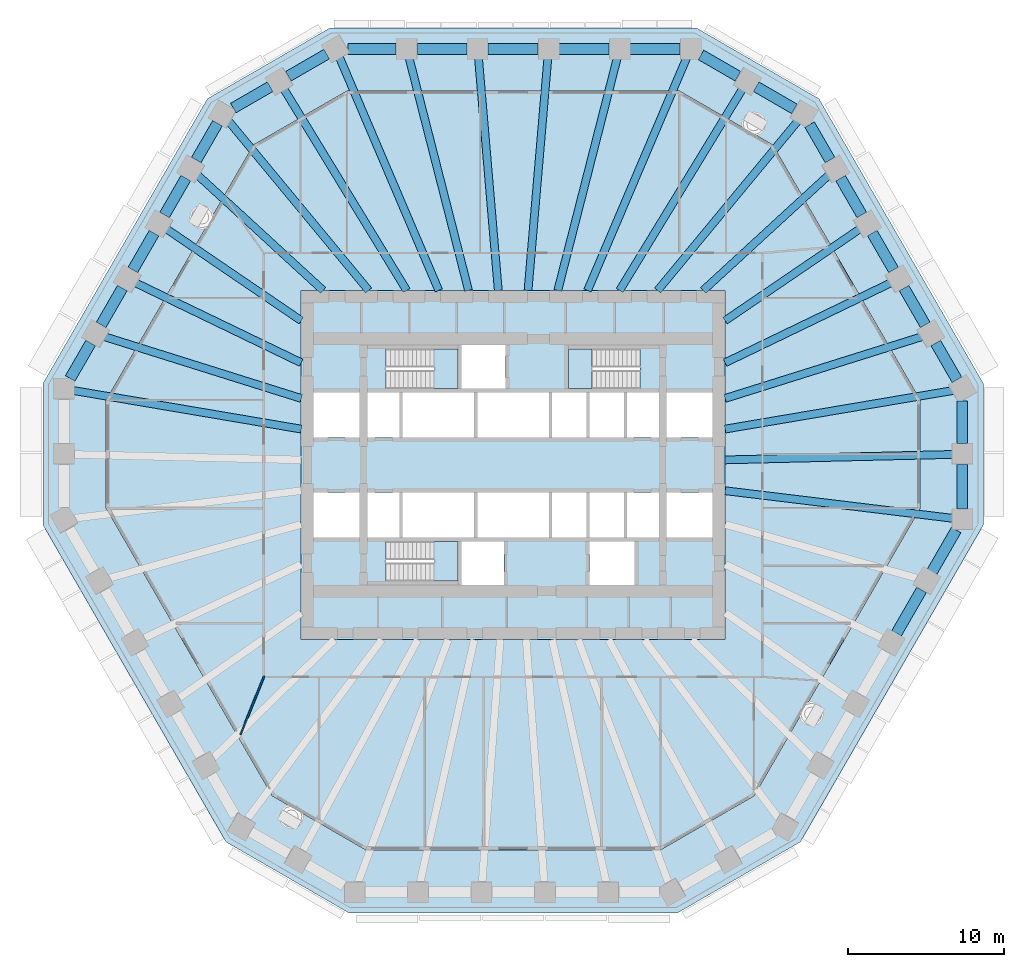
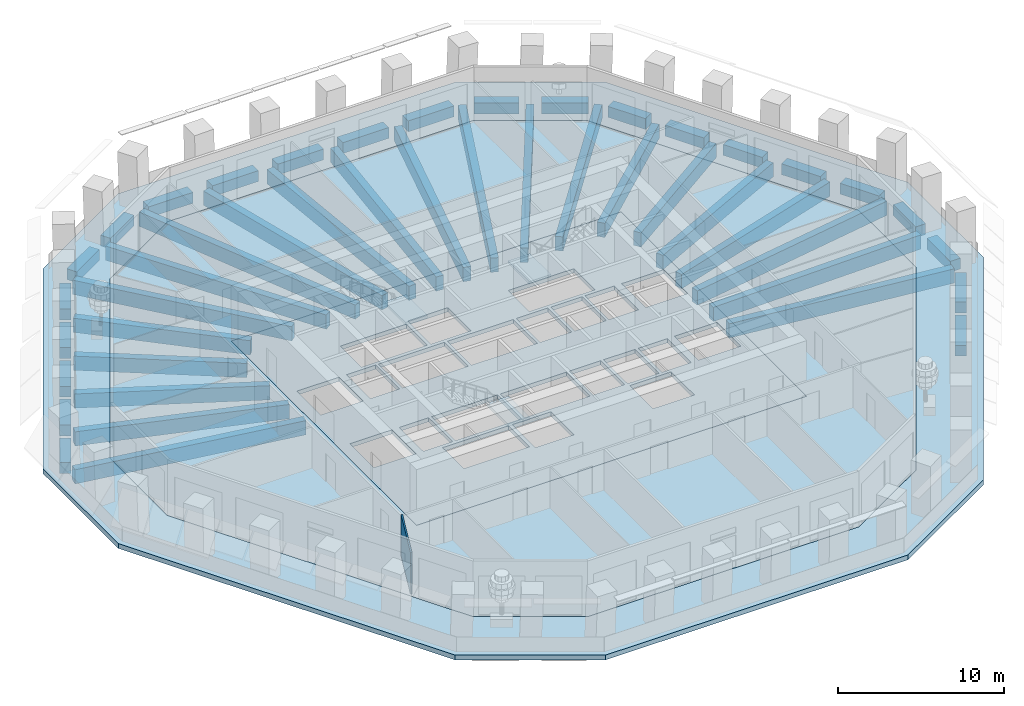
# One storey, part 2 of 13: 45 beams, 6 slabs, 1 wall, 3 elements without a shape of their own.
"""IFC4 building model written with IfcOpenShell, lengths in metres."""

from ifc_helpers import new_model, si_unit, direction, frame, frame_2d, origin, origin_2d, place, context, subcontext, project, spatial, polyline, rectangle, outline, extrude, material, layer, layer_set, material_profile, profile_set, type_object, element, aggregate, save


model = new_model("IFC4")

# Units and contexts
model_context = context("Model", 3, precision=1e-05, world=origin(), true_north=direction((0.0, 1.0)))
body_context = subcontext(model_context, "Body", "Model", "MODEL_VIEW")
ifc_project = project(units=[si_unit("LENGTHUNIT", "METRE"), si_unit("AREAUNIT", "SQUARE_METRE"), si_unit("VOLUMEUNIT", "CUBIC_METRE"), si_unit("PLANEANGLEUNIT", "RADIAN"), si_unit("MASSUNIT", "GRAM", prefix="KILO")], contexts=[model_context])

# Site, building, storey
site_placement = place(None, origin())
site = spatial("IfcSite", under=ifc_project, at=site_placement, CompositionType="ELEMENT")
building_placement = place(site_placement, origin())
building = spatial("IfcBuilding", under=site, at=building_placement, Name="Frailejon Research Tower", CompositionType="ELEMENT")
storey_placement = place(building_placement, frame((0.0, 0.0, 102.800048828125)))
storey = spatial("IfcBuildingStorey", under=building, at=storey_placement, Name="L22", CompositionType="ELEMENT", Elevation=102.800048828125)

# Beams
ifc_material_1 = material(Name="Concrete C60/75", Category="concrete")
ifc_material_profile_1 = material_profile(ifc_material_1, rectangle(XDim=0.5, YDim=1.050048828125, at=origin_2d()), Name="Girder 500x1050")
ifc_profile_set_1 = profile_set([ifc_material_profile_1], Name="Concrete C60/75")
beam_type_1 = type_object("IfcBeamType", Name="Girder 500x1050", PredefinedType="BEAM", material=ifc_profile_set_1)
beam_1_placement = place(storey_placement, frame((28.285888671875, -3.432373046875, -0.824951171875), z_axis=(-0.992718540331, 0.120457044967, 0.0), x_axis=(-0.120457044967, -0.992718540331, 0.0)))
element("IfcBeam", 1, at=beam_1_placement, inside=storey, type_object=beam_type_1, Name="Girder 500x1050", PredefinedType="BEAM", context=body_context, shape_type="SweptSolid", body=[
    extrude(rectangle(XDim=0.5, YDim=1.050048828125, at=origin_2d()), origin(), (0.0, 0.0, 1.0), 14.79345703125),
])
beam_2_placement = place(storey_placement, frame((28.287109375, 0.6787109375, -0.824951171875), z_axis=(-0.999712439965, -0.023979937014, 0.0), x_axis=(0.023979937014, -0.999712439965, 0.0)))
element("IfcBeam", 2, at=beam_2_placement, inside=storey, type_object=beam_type_1, Name="Girder 500x1050", PredefinedType="BEAM", context=body_context, shape_type="SweptSolid", body=[
    extrude(rectangle(XDim=0.5, YDim=1.050048828125, at=origin_2d()), origin(), (0.0, 0.0, 1.0), 14.691162109375),
])
beam_3_placement = place(storey_placement, frame((28.25, 4.78369140625, -0.824951171875), z_axis=(-0.985964286916, -0.166956356354, 0.0), x_axis=(0.166956356354, -0.985964286916, 0.0)))
element("IfcBeam", 3, at=beam_3_placement, inside=storey, type_object=beam_type_1, Name="Girder 500x1050", PredefinedType="BEAM", context=body_context, shape_type="SweptSolid", body=[
    extrude(rectangle(XDim=0.5, YDim=1.050048828125, at=origin_2d()), origin(), (0.0, 0.0, 1.0), 14.8583984375),
])
beam_4_placement = place(storey_placement, frame((26.259033203125, 8.243408203125, -0.824951171875), z_axis=(-0.954088556525, -0.299524667279, 0.0), x_axis=(0.299524667279, -0.954088556525, 0.0)))
element("IfcBeam", 4, at=beam_4_placement, inside=storey, type_object=beam_type_1, Name="Girder 500x1050", PredefinedType="BEAM", context=body_context, shape_type="SweptSolid", body=[
    extrude(rectangle(XDim=0.5, YDim=1.050048828125, at=origin_2d()), origin(), (0.0, 0.0, 1.0), 13.26806640625),
])
beam_5_placement = place(storey_placement, frame((24.26513671875, 11.703369140625, -0.824951171875), z_axis=(-0.900711634479, -0.434417485277, 0.0), x_axis=(0.434417485277, -0.900711634479, 0.0)))
element("IfcBeam", 5, at=beam_5_placement, inside=storey, type_object=beam_type_1, Name="Girder 500x1050", PredefinedType="BEAM", context=body_context, shape_type="SweptSolid", body=[
    extrude(rectangle(XDim=0.5, YDim=1.050048828125, at=origin_2d()), origin(), (0.0, 0.0, 1.0), 11.840576171875),
])
beam_6_placement = place(storey_placement, frame((22.26806640625, 15.16259765625, -0.824951171875), z_axis=(-0.826566063809, -0.56283971267, 0.0), x_axis=(0.56283971267, -0.826566063809, 0.0)))
element("IfcBeam", 6, at=beam_6_placement, inside=storey, type_object=beam_type_1, Name="Girder 500x1050", PredefinedType="BEAM", context=body_context, shape_type="SweptSolid", body=[
    extrude(rectangle(XDim=0.5, YDim=1.050048828125, at=origin_2d()), origin(), (0.0, 0.0, 1.0), 10.48681640625),
])
beam_7_placement = place(storey_placement, frame((20.2685546875, 18.619384765625, -0.824951171875), z_axis=(-0.736424633964, -0.676519592097, 0.0), x_axis=(0.676519592097, -0.736424633964, 0.0)))
element("IfcBeam", 7, at=beam_7_placement, inside=storey, type_object=beam_type_1, Name="Girder 500x1050", PredefinedType="BEAM", context=body_context, shape_type="SweptSolid", body=[
    extrude(rectangle(XDim=0.5, YDim=1.050048828125, at=origin_2d()), origin(), (0.0, 0.0, 1.0), 10.967041015625),
])
beam_8_placement = place(storey_placement, frame((18.290283203125, 22.1005859375, -0.824951171875), z_axis=(-0.63756877341, -0.770393444399, 0.0), x_axis=(0.770393444399, -0.63756877341, 0.0)))
element("IfcBeam", 8, at=beam_8_placement, inside=storey, type_object=beam_type_1, Name="Girder 500x1050", PredefinedType="BEAM", context=body_context, shape_type="SweptSolid", body=[
    extrude(rectangle(XDim=0.5, YDim=1.050048828125, at=origin_2d()), origin(), (0.0, 0.0, 1.0), 14.1494140625),
])
beam_9_placement = place(storey_placement, frame((14.731201171875, 24.15771484375, -0.824951171875), z_axis=(-0.520633164902, -0.853780479751, 0.0), x_axis=(0.853780479751, -0.520633164902, 0.0)))
element("IfcBeam", 9, at=beam_9_placement, inside=storey, type_object=beam_type_1, Name="Girder 500x1050", PredefinedType="BEAM", context=body_context, shape_type="SweptSolid", body=[
    extrude(rectangle(XDim=0.5, YDim=1.050048828125, at=origin_2d()), origin(), (0.0, 0.0, 1.0), 15.177001953125),
])
beam_10_placement = place(storey_placement, frame((11.1494140625, 26.1630859375, -0.824951171875), z_axis=(-0.392032637108, -0.919951309278, 0.0), x_axis=(0.919951309278, -0.392032637108, 0.0)))
element("IfcBeam", 10, at=beam_10_placement, inside=storey, type_object=beam_type_1, Name="Girder 500x1050", PredefinedType="BEAM", context=body_context, shape_type="SweptSolid", body=[
    extrude(rectangle(XDim=0.5, YDim=1.050048828125, at=origin_2d()), origin(), (0.0, 0.0, 1.0), 16.26513671875),
])
beam_11_placement = place(storey_placement, frame((6.69140625, 26.17041015625, -0.824951171875), z_axis=(-0.247710818836, -0.968834015831, 0.0), x_axis=(0.968834015831, -0.247710818836, 0.0)))
element("IfcBeam", 11, at=beam_11_placement, inside=storey, type_object=beam_type_1, Name="Girder 500x1050", PredefinedType="BEAM", context=body_context, shape_type="SweptSolid", body=[
    extrude(rectangle(XDim=0.5, YDim=1.050048828125, at=origin_2d()), origin(), (0.0, 0.0, 1.0), 15.4521484375),
])
for number, where, z_axis, x_axis, name in (
    (12, (2.230712890625, 26.174560546875, -0.824951171875), (-0.084911352875, -0.996388509645, 0.0), (0.996388509645, -0.084911352875, 0.0), "Girder 500x1050"),
    (13, (-2.230712890625, 26.174560546875, -0.824951171875), (0.084911352875, -0.996388509645, 0.0), (0.996388509645, 0.084911352875, 0.0), "Girder 500x1050"),
):
    element("IfcBeam", number, at=place(storey_placement, frame(where, z_axis=z_axis, x_axis=x_axis)), inside=storey, type_object=beam_type_1, Name=name, PredefinedType="BEAM", context=body_context, shape_type="SweptSolid", body=[
        extrude(rectangle(XDim=0.5, YDim=1.050048828125, at=origin_2d()), origin(), (0.0, 0.0, 1.0), 15.02880859375),
    ])
beam_12_placement = place(storey_placement, frame((-6.69140625, 26.17041015625, -0.824951171875), z_axis=(0.247710818836, -0.968834015831, 0.0), x_axis=(0.968834015831, 0.247710818836, 0.0)))
element("IfcBeam", 14, at=beam_12_placement, inside=storey, type_object=beam_type_1, Name="Girder 500x1050", PredefinedType="BEAM", context=body_context, shape_type="SweptSolid", body=[
    extrude(rectangle(XDim=0.5, YDim=1.050048828125, at=origin_2d()), origin(), (0.0, 0.0, 1.0), 15.4521484375),
])
beam_13_placement = place(storey_placement, frame((-11.17041015625, 26.21240234375, -0.824951171875), z_axis=(0.392031607897, -0.91995174787, 0.0), x_axis=(0.91995174787, 0.392031607897, 0.0)))
element("IfcBeam", 15, at=beam_13_placement, inside=storey, type_object=beam_type_1, Name="Girder 500x1050", PredefinedType="BEAM", context=body_context, shape_type="SweptSolid", body=[
    extrude(rectangle(XDim=0.5, YDim=1.050048828125, at=origin_2d()), origin(), (0.0, 0.0, 1.0), 16.31884765625),
])
beam_14_placement = place(storey_placement, frame((-14.731201171875, 24.15771484375, -0.824951171875), z_axis=(0.520633164902, -0.853780479751, 0.0), x_axis=(0.853780479751, 0.520633164902, 0.0)))
element("IfcBeam", 16, at=beam_14_placement, inside=storey, type_object=beam_type_1, Name="Girder 500x1050", PredefinedType="BEAM", context=body_context, shape_type="SweptSolid", body=[
    extrude(rectangle(XDim=0.5, YDim=1.050048828125, at=origin_2d()), origin(), (0.0, 0.0, 1.0), 15.177001953125),
])
beam_15_placement = place(storey_placement, frame((-18.267822265625, 22.0732421875, -0.824951171875), z_axis=(0.637575856246, -0.77038758267, 0.0), x_axis=(0.77038758267, 0.637575856246, 0.0)))
element("IfcBeam", 17, at=beam_15_placement, inside=storey, type_object=beam_type_1, Name="Girder 500x1050", PredefinedType="BEAM", context=body_context, shape_type="SweptSolid", body=[
    extrude(rectangle(XDim=0.5, YDim=1.050048828125, at=origin_2d()), origin(), (0.0, 0.0, 1.0), 14.114013671875),
])
beam_16_placement = place(storey_placement, frame((-20.2685546875, 18.619384765625, -0.824951171875), z_axis=(0.736424633964, -0.676519592097, 0.0), x_axis=(0.676519592097, 0.736424633964, 0.0)))
element("IfcBeam", 18, at=beam_16_placement, inside=storey, type_object=beam_type_1, Name="Girder 500x1050", PredefinedType="BEAM", context=body_context, shape_type="SweptSolid", body=[
    extrude(rectangle(XDim=0.5, YDim=1.050048828125, at=origin_2d()), origin(), (0.0, 0.0, 1.0), 10.967041015625),
])
beam_17_placement = place(storey_placement, frame((-22.26806640625, 15.16259765625, -0.824951171875), z_axis=(0.826566063809, -0.56283971267, 0.0), x_axis=(0.56283971267, 0.826566063809, 0.0)))
element("IfcBeam", 19, at=beam_17_placement, inside=storey, type_object=beam_type_1, Name="Girder 500x1050", PredefinedType="BEAM", context=body_context, shape_type="SweptSolid", body=[
    extrude(rectangle(XDim=0.5, YDim=1.050048828125, at=origin_2d()), origin(), (0.0, 0.0, 1.0), 10.48681640625),
])
beam_18_placement = place(storey_placement, frame((-24.26513671875, 11.703369140625, -0.824951171875), z_axis=(0.900711634479, -0.434417485277, 0.0), x_axis=(0.434417485277, 0.900711634479, 0.0)))
element("IfcBeam", 20, at=beam_18_placement, inside=storey, type_object=beam_type_1, Name="Girder 500x1050", PredefinedType="BEAM", context=body_context, shape_type="SweptSolid", body=[
    extrude(rectangle(XDim=0.5, YDim=1.050048828125, at=origin_2d()), origin(), (0.0, 0.0, 1.0), 11.840576171875),
])
beam_19_placement = place(storey_placement, frame((-26.259033203125, 8.243408203125, -0.824951171875), z_axis=(0.954088556525, -0.299524667279, 0.0), x_axis=(0.299524667279, 0.954088556525, 0.0)))
element("IfcBeam", 21, at=beam_19_placement, inside=storey, type_object=beam_type_1, Name="Girder 500x1050", PredefinedType="BEAM", context=body_context, shape_type="SweptSolid", body=[
    extrude(rectangle(XDim=0.5, YDim=1.050048828125, at=origin_2d()), origin(), (0.0, 0.0, 1.0), 13.26806640625),
])
beam_20_placement = place(storey_placement, frame((-28.284912109375, 4.78955078125, -0.824951171875), z_axis=(0.985964866051, -0.166952936221, 0.0), x_axis=(0.166952936221, 0.985964866051, 0.0)))
element("IfcBeam", 22, at=beam_20_placement, inside=storey, type_object=beam_type_1, Name="Girder 500x1050", PredefinedType="BEAM", context=body_context, shape_type="SweptSolid", body=[
    extrude(rectangle(XDim=0.5, YDim=1.050048828125, at=origin_2d()), origin(), (0.0, 0.0, 1.0), 14.893798828125),
])
ifc_material_2 = material(Name="Concrete C60/75", Category="concrete")
ifc_material_profile_2 = material_profile(ifc_material_2, rectangle(XDim=0.699951171875, YDim=0.800048828125, at=origin_2d()), Name="Spandrel 700x800")
ifc_profile_set_2 = profile_set([ifc_material_profile_2], Name="Concrete C60/75")
beam_type_2 = type_object("IfcBeamType", Name="Spandrel 700x800", PredefinedType="BEAM", material=ifc_profile_set_2)
beam_21_placement = place(storey_placement, frame((28.81201171875, -2.8212890625, -0.75), z_axis=(0.0, 1.0, 0.0), x_axis=(-1.0, 0.0, 0.0)))
element("IfcBeam", 23, at=beam_21_placement, inside=storey, type_object=beam_type_2, Name="Spandrel 700x800", PredefinedType="BEAM", context=body_context, shape_type="SweptSolid", body=[
    extrude(rectangle(XDim=0.699951171875, YDim=0.800048828125, at=origin_2d()), origin(), (0.0, 0.0, 1.0), 2.837646484375),
])
beam_22_placement = place(storey_placement, frame((28.81201171875, 1.366455078125, -0.75), z_axis=(0.0, 1.0, 0.0), x_axis=(-1.0, 0.0, 0.0)))
element("IfcBeam", 24, at=beam_22_placement, inside=storey, type_object=beam_type_2, Name="Spandrel 700x800", PredefinedType="BEAM", context=body_context, shape_type="SweptSolid", body=[
    extrude(rectangle(XDim=0.699951171875, YDim=0.800048828125, at=origin_2d()), origin(), (0.0, 0.0, 1.0), 2.733154296875),
])
beam_23_placement = place(storey_placement, frame((28.474609375, 5.46337890625, -0.75), z_axis=(-0.500035541724, 0.866004882788, 0.0), x_axis=(-0.866004882788, -0.500035541724, 0.0)))
element("IfcBeam", 25, at=beam_23_placement, inside=storey, type_object=beam_type_2, Name="Spandrel 700x800", PredefinedType="BEAM", context=body_context, shape_type="SweptSolid", body=[
    extrude(rectangle(XDim=0.699951171875, YDim=0.800048828125, at=origin_2d()), origin(), (0.0, 0.0, 1.0), 2.722412109375),
])
beam_24_placement = place(storey_placement, frame((26.438232421875, 8.990234375, -0.75), z_axis=(-0.500007116724, 0.866021294903, 0.0), x_axis=(-0.866021294903, -0.500007116724, 0.0)))
element("IfcBeam", 26, at=beam_24_placement, inside=storey, type_object=beam_type_2, Name="Spandrel 700x800", PredefinedType="BEAM", context=body_context, shape_type="SweptSolid", body=[
    extrude(rectangle(XDim=0.699951171875, YDim=0.800048828125, at=origin_2d()), origin(), (0.0, 0.0, 1.0), 2.72216796875),
])
beam_25_placement = place(storey_placement, frame((24.402099609375, 12.516845703125, -0.75), z_axis=(-0.499968283096, 0.866043714773, 0.0), x_axis=(-0.866043714773, -0.499968283096, 0.0)))
element("IfcBeam", 27, at=beam_25_placement, inside=storey, type_object=beam_type_2, Name="Spandrel 700x800", PredefinedType="BEAM", context=body_context, shape_type="SweptSolid", body=[
    extrude(rectangle(XDim=0.699951171875, YDim=0.800048828125, at=origin_2d()), origin(), (0.0, 0.0, 1.0), 2.722412109375),
])
beam_26_placement = place(storey_placement, frame((22.3662109375, 16.043701171875, -0.75), z_axis=(-0.500074377092, 0.865982457891, 0.0), x_axis=(-0.865982457891, -0.500074377092, 0.0)))
element("IfcBeam", 28, at=beam_26_placement, inside=storey, type_object=beam_type_2, Name="Spandrel 700x800", PredefinedType="BEAM", context=body_context, shape_type="SweptSolid", body=[
    extrude(rectangle(XDim=0.699951171875, YDim=0.800048828125, at=origin_2d()), origin(), (0.0, 0.0, 1.0), 2.72216796875),
])
beam_27_placement = place(storey_placement, frame((20.329833984375, 19.5703125, -0.75), z_axis=(-0.499980792466, 0.866036492975, 0.0), x_axis=(-0.866036492975, -0.499980792466, 0.0)))
element("IfcBeam", 29, at=beam_27_placement, inside=storey, type_object=beam_type_2, Name="Spandrel 700x800", PredefinedType="BEAM", context=body_context, shape_type="SweptSolid", body=[
    extrude(rectangle(XDim=0.699951171875, YDim=0.800048828125, at=origin_2d()), origin(), (0.0, 0.0, 1.0), 2.61767578125),
])
beam_28_placement = place(storey_placement, frame((18.046630859375, 22.849853515625, -0.75), z_axis=(-0.865989280058, 0.500062562911, 0.0), x_axis=(-0.500062562911, -0.865989280058, 0.0)))
element("IfcBeam", 30, at=beam_28_placement, inside=storey, type_object=beam_type_2, Name="Spandrel 700x800", PredefinedType="BEAM", context=body_context, shape_type="SweptSolid", body=[
    extrude(rectangle(XDim=0.699951171875, YDim=0.800048828125, at=origin_2d()), origin(), (0.0, 0.0, 1.0), 2.837646484375),
])
beam_29_placement = place(storey_placement, frame((14.420166015625, 24.943603515625, -0.75), z_axis=(-0.866002615699, 0.500039468044, 0.0), x_axis=(-0.500039468044, -0.866002615699, 0.0)))
element("IfcBeam", 31, at=beam_29_placement, inside=storey, type_object=beam_type_2, Name="Spandrel 700x800", PredefinedType="BEAM", context=body_context, shape_type="SweptSolid", body=[
    extrude(rectangle(XDim=0.699951171875, YDim=0.800048828125, at=origin_2d()), origin(), (0.0, 0.0, 1.0), 2.733154296875),
])
for number, where, z_axis, x_axis, name in (
    (32, (10.703125, 26.699951171875, -0.75), (-1.0, 0.0, 0.0), (0.0, -1.0, 0.0), "Spandrel 700x800"),
    (33, (6.15185546875, 26.699951171875, -0.75), (-1.0, 0.0, 0.0), (0.0, -1.0, 0.0), "Spandrel 700x800"),
    (34, (1.6005859375, 26.699951171875, -0.75), (-1.0, 0.0, 0.0), (0.0, -1.0, 0.0), "Spandrel 700x800"),
    (35, (-2.95068359375, 26.699951171875, -0.75), (-1.0, 0.0, 0.0), (0.0, -1.0, 0.0), "Spandrel 700x800"),
):
    element("IfcBeam", number, at=place(storey_placement, frame(where, z_axis=z_axis, x_axis=x_axis)), inside=storey, type_object=beam_type_2, Name=name, PredefinedType="BEAM", context=body_context, shape_type="SweptSolid", body=[
        extrude(rectangle(XDim=0.699951171875, YDim=0.800048828125, at=origin_2d()), origin(), (0.0, 0.0, 1.0), 3.201171875),
    ])
beam_30_placement = place(storey_placement, frame((-7.501953125, 26.699951171875, -0.75), z_axis=(-1.0, 0.0, 0.0), x_axis=(0.0, -1.0, 0.0)))
element("IfcBeam", 36, at=beam_30_placement, inside=storey, type_object=beam_type_2, Name="Spandrel 700x800", PredefinedType="BEAM", context=body_context, shape_type="SweptSolid", body=[
    extrude(rectangle(XDim=0.699951171875, YDim=0.800048828125, at=origin_2d()), origin(), (0.0, 0.0, 1.0), 3.096923828125),
])
beam_31_placement = place(storey_placement, frame((-11.962890625, 26.362548828125, -0.75), z_axis=(-0.865989280058, -0.500062562911, 0.0), x_axis=(0.500062562911, -0.865989280058, 0.0)))
element("IfcBeam", 37, at=beam_31_placement, inside=storey, type_object=beam_type_2, Name="Spandrel 700x800", PredefinedType="BEAM", context=body_context, shape_type="SweptSolid", body=[
    extrude(rectangle(XDim=0.699951171875, YDim=0.800048828125, at=origin_2d()), origin(), (0.0, 0.0, 1.0), 2.837646484375),
])
beam_32_placement = place(storey_placement, frame((-15.58935546875, 24.268798828125, -0.75), z_axis=(-0.866002615699, -0.500039468044, 0.0), x_axis=(0.500039468044, -0.866002615699, 0.0)))
element("IfcBeam", 38, at=beam_32_placement, inside=storey, type_object=beam_type_2, Name="Spandrel 700x800", PredefinedType="BEAM", context=body_context, shape_type="SweptSolid", body=[
    extrude(rectangle(XDim=0.699951171875, YDim=0.800048828125, at=origin_2d()), origin(), (0.0, 0.0, 1.0), 2.733154296875),
])
for number, where, z_axis, x_axis, name in (
    (39, (-18.96875, 21.927734375, -0.75), (-0.500007116724, -0.866021294903, 0.0), (0.866021294903, -0.500007116724, 0.0), "Spandrel 700x800"),
    (40, (-21.0048828125, 18.401123046875, -0.75), (-0.500074377092, -0.865982457891, 0.0), (0.865982457891, -0.500074377092, 0.0), "Spandrel 700x800"),
):
    element("IfcBeam", number, at=place(storey_placement, frame(where, z_axis=z_axis, x_axis=x_axis)), inside=storey, type_object=beam_type_2, Name=name, PredefinedType="BEAM", context=body_context, shape_type="SweptSolid", body=[
        extrude(rectangle(XDim=0.699951171875, YDim=0.800048828125, at=origin_2d()), origin(), (0.0, 0.0, 1.0), 2.72216796875),
    ])
beam_33_placement = place(storey_placement, frame((-23.041015625, 14.87451171875, -0.75), z_axis=(-0.499968283096, -0.866043714773, 0.0), x_axis=(0.866043714773, -0.499968283096, 0.0)))
element("IfcBeam", 41, at=beam_33_placement, inside=storey, type_object=beam_type_2, Name="Spandrel 700x800", PredefinedType="BEAM", context=body_context, shape_type="SweptSolid", body=[
    extrude(rectangle(XDim=0.699951171875, YDim=0.800048828125, at=origin_2d()), origin(), (0.0, 0.0, 1.0), 2.722412109375),
])
beam_34_placement = place(storey_placement, frame((-25.0771484375, 11.34765625, -0.75), z_axis=(-0.500007116724, -0.866021294903, 0.0), x_axis=(0.866021294903, -0.500007116724, 0.0)))
element("IfcBeam", 42, at=beam_34_placement, inside=storey, type_object=beam_type_2, Name="Spandrel 700x800", PredefinedType="BEAM", context=body_context, shape_type="SweptSolid", body=[
    extrude(rectangle(XDim=0.699951171875, YDim=0.800048828125, at=origin_2d()), origin(), (0.0, 0.0, 1.0), 2.72216796875),
])
beam_35_placement = place(storey_placement, frame((-27.11328125, 7.821044921875, -0.75), z_axis=(-0.500050736314, -0.865996109178, 0.0), x_axis=(0.865996109178, -0.500050736314, 0.0)))
element("IfcBeam", 43, at=beam_35_placement, inside=storey, type_object=beam_type_2, Name="Spandrel 700x800", PredefinedType="BEAM", context=body_context, shape_type="SweptSolid", body=[
    extrude(rectangle(XDim=0.699951171875, YDim=0.800048828125, at=origin_2d()), origin(), (0.0, 0.0, 1.0), 2.617919921875),
])
beam_36_placement = place(storey_placement, frame((24.59814453125, -10.794677734375, -0.75), z_axis=(0.499977712642, 0.866038271014, 0.0), x_axis=(-0.866038271014, 0.499977712642, 0.0)))
element("IfcBeam", 44, at=beam_36_placement, inside=storey, type_object=beam_type_2, Name="Spandrel 700x800", PredefinedType="BEAM", context=body_context, shape_type="SweptSolid", body=[
    extrude(rectangle(XDim=0.699951171875, YDim=0.800048828125, at=origin_2d()), origin(), (0.0, 0.0, 1.0), 3.201416015625),
])
beam_37_placement = place(storey_placement, frame((26.873779296875, -6.85302734375, -0.75), z_axis=(0.50004773119, 0.865997844415, 0.0), x_axis=(-0.865997844415, 0.50004773119, 0.0)))
element("IfcBeam", 45, at=beam_37_placement, inside=storey, type_object=beam_type_2, Name="Spandrel 700x800", PredefinedType="BEAM", context=body_context, shape_type="SweptSolid", body=[
    extrude(rectangle(XDim=0.699951171875, YDim=0.800048828125, at=origin_2d()), origin(), (0.0, 0.0, 1.0), 3.096923828125),
])

# Slabs
ifc_material_3 = material(Name="Concrete C70/85", Category="concrete")
ifc_layer_1 = layer(ifc_material_3, 0.300048828125)
ifc_layer_set_1 = layer_set([ifc_layer_1], Name="Core floor slab 300 C70/85")
slab_type_1 = type_object("IfcSlabType", Name="Core floor slab 300 C70/85", PredefinedType="FLOOR", material=ifc_layer_set_1)
slab_1_placement = place(storey_placement, frame((0.0, 0.0, -0.300048828125)))
element("IfcSlab", 46, at=slab_1_placement, inside=storey, type_object=slab_type_1, Name="Core floor slab", PredefinedType="FLOOR", context=body_context, shape_type="SweptSolid", body=[
    extrude(outline(polyline([(13.60009765625, -11.199951171875), (13.60009765625, 11.199951171875), (-13.60009765625, 11.199951171875), (-13.60009765625, -11.199951171875), (13.60009765625, -11.199951171875)]), holes=[polyline([(-9.85009765625, 1.75), (-9.85009765625, 4.64990234375), (-12.800048828125, 4.64990234375), (-12.800048828125, 1.75), (-9.85009765625, 1.75)]), polyline([(-7.300048828125, 1.75), (-7.300048828125, 4.64990234375), (-9.35009765625, 4.64990234375), (-9.35009765625, 1.75), (-7.300048828125, 1.75)]), polyline([(-2.5, 1.75), (-2.5, 4.64990234375), (-7.10009765625, 4.64990234375), (-7.10009765625, 1.75), (-2.5, 1.75)]), polyline([(2.300048828125, 1.75), (2.300048828125, 4.64990234375), (-2.300048828125, 4.64990234375), (-2.300048828125, 1.75), (2.300048828125, 1.75)]), polyline([(4.699951171875, 1.75), (4.699951171875, 4.64990234375), (2.5, 4.64990234375), (2.5, 1.75), (4.699951171875, 1.75)]), polyline([(7.10009765625, 1.75), (7.10009765625, 4.64990234375), (4.89990234375, 4.64990234375), (4.89990234375, 1.75), (7.10009765625, 1.75)]), polyline([(9.35009765625, 1.75), (9.35009765625, 4.64990234375), (7.300048828125, 4.64990234375), (7.300048828125, 1.75), (9.35009765625, 1.75)]), polyline([(12.800048828125, 1.75), (12.800048828125, 4.64990234375), (9.85009765625, 4.64990234375), (9.85009765625, 1.75), (12.800048828125, 1.75)]), polyline([(-9.85009765625, -4.64990234375), (-9.85009765625, -1.75), (-12.800048828125, -1.75), (-12.800048828125, -4.64990234375), (-9.85009765625, -4.64990234375)]), polyline([(-7.300048828125, -4.64990234375), (-7.300048828125, -1.75), (-9.35009765625, -1.75), (-9.35009765625, -4.64990234375), (-7.300048828125, -4.64990234375)]), polyline([(-2.5, -4.64990234375), (-2.5, -1.75), (-7.10009765625, -1.75), (-7.10009765625, -4.64990234375), (-2.5, -4.64990234375)]), polyline([(2.300048828125, -4.64990234375), (2.300048828125, -1.75), (-2.300048828125, -1.75), (-2.300048828125, -4.64990234375), (2.300048828125, -4.64990234375)]), polyline([(4.699951171875, -4.64990234375), (4.699951171875, -1.75), (2.5, -1.75), (2.5, -4.64990234375), (4.699951171875, -4.64990234375)]), polyline([(7.10009765625, -4.64990234375), (7.10009765625, -1.75), (4.89990234375, -1.75), (4.89990234375, -4.64990234375), (7.10009765625, -4.64990234375)]), polyline([(9.35009765625, -4.64990234375), (9.35009765625, -1.75), (7.300048828125, -1.75), (7.300048828125, -4.64990234375), (9.35009765625, -4.64990234375)]), polyline([(12.800048828125, -4.64990234375), (12.800048828125, -1.75), (9.85009765625, -1.75), (9.85009765625, -4.64990234375), (12.800048828125, -4.64990234375)]), polyline([(-8.14697265625, 4.89990234375), (-3.550048828125, 4.89990234375), (-3.550048828125, 7.449951171875), (-8.14697265625, 7.449951171875), (-8.14697265625, 4.89990234375)]), polyline([(-8.14697265625, -7.449951171875), (-3.550048828125, -7.449951171875), (-3.550048828125, -4.89990234375), (-8.14697265625, -4.89990234375), (-8.14697265625, -7.449951171875)]), polyline([(8.14697265625, 7.449951171875), (3.550048828125, 7.449951171875), (3.550048828125, 4.89990234375), (8.14697265625, 4.89990234375), (8.14697265625, 7.449951171875)]), polyline([(-0.60009765625, -7.699951171875), (-0.60009765625, -4.89990234375), (-3.300048828125, -4.89990234375), (-3.300048828125, -7.699951171875), (-0.60009765625, -7.699951171875)]), polyline([(7.800048828125, -7.699951171875), (7.800048828125, -4.89990234375), (4.89990234375, -4.89990234375), (4.89990234375, -7.699951171875), (7.800048828125, -7.699951171875)]), polyline([(-0.5, 4.89990234375), (-0.5, 7.699951171875), (-3.300048828125, 7.699951171875), (-3.300048828125, 4.89990234375), (-0.5, 4.89990234375)])]), origin(), (0.0, 0.0, 1.0), 0.300048828125),
])
ifc_material_4 = material(Name="Concrete C40/50", Category="concrete")
ifc_layer_2 = layer(ifc_material_4, 0.35009765625)
ifc_layer_set_2 = layer_set([ifc_layer_2], Name="Loggia slab 350")
slab_type_2 = type_object("IfcSlabType", Name="Loggia slab 350", PredefinedType="USERDEFINED", material=ifc_layer_set_2)
slab_2_placement = place(storey_placement, frame((0.0, 0.0, -0.35009765625)))
element("IfcSlab", 47, at=slab_2_placement, inside=storey, type_object=slab_type_2, Name="Loggia slab L22", ObjectType="LOGGIA", PredefinedType="USERDEFINED", context=body_context, shape_type="SweptSolid", body=[
    extrude(outline(polyline([(18.422119140625, -24.192138671875), (10.54248046875, -28.741455078125), (-10.54248046875, -28.741455078125), (-18.422119140625, -24.192138671875), (-30.162109375, -3.85791015625), (-30.162109375, 5.24072265625), (-19.619384765625, 23.500732421875), (-11.739990234375, 28.050048828125), (11.739990234375, 28.050048828125), (19.619384765625, 23.500732421875), (30.162109375, 5.24072265625), (30.162109375, -3.85791015625), (18.422119140625, -24.192138671875)]), holes=[polyline([(26.112060546875, 4.155517578125), (16.65478515625, 20.535888671875), (10.65478515625, 24.0), (-10.65478515625, 24.0), (-16.65478515625, 20.535888671875), (-26.112060546875, 4.155517578125), (-26.112060546875, -2.772705078125), (-15.457275390625, -21.227294921875), (-9.457275390625, -24.69140625), (9.457275390625, -24.69140625), (15.457275390625, -21.227294921875), (26.112060546875, -2.772705078125), (26.112060546875, 4.155517578125)])]), origin(), (0.0, 0.0, 1.0), 0.35009765625),
])
ifc_material_5 = material(Name="Concrete C40/50", Category="concrete")
ifc_layer_3 = layer(ifc_material_5, 0.300048828125)
ifc_layer_set_3 = layer_set([ifc_layer_3], Name="Slab typical 300")
slab_type_3 = type_object("IfcSlabType", Name="Slab typical 300", PredefinedType="FLOOR", material=ifc_layer_set_3)
slab_3_placement = place(storey_placement, frame((0.0, 0.0, -0.300048828125)))
element("IfcSlab", 48, at=slab_3_placement, inside=storey, type_object=slab_type_3, Name="Floor slab L22", PredefinedType="FLOOR", context=body_context, shape_type="SweptSolid", body=[
    extrude(outline(polyline([(26.112060546875, -2.772705078125), (26.112060546875, 4.155517578125), (16.65478515625, 20.535888671875), (10.65478515625, 24.0), (-10.65478515625, 24.0), (-16.65478515625, 20.535888671875), (-26.112060546875, 4.155517578125), (-26.112060546875, -2.772705078125), (-15.457275390625, -21.227294921875), (-9.457275390625, -24.69140625), (9.457275390625, -24.69140625), (15.457275390625, -21.227294921875), (26.112060546875, -2.772705078125)]), holes=[polyline([(13.60009765625, -11.199951171875), (-13.60009765625, -11.199951171875), (-13.60009765625, 11.199951171875), (13.60009765625, 11.199951171875), (13.60009765625, -11.199951171875)])]), origin(), (0.0, 0.0, 1.0), 0.300048828125),
])

# Stair, slab
ifc_material_6 = material(Name="Concrete C50/60", Category="concrete")
stair_type = type_object("IfcStairType", Name="Exit stair 24 risers", PredefinedType="HALF_TURN_STAIR", material=ifc_material_6)
stair_1_placement = place(storey_placement, origin())
stair_1 = element("IfcStair", 49, at=stair_1_placement, inside=storey, type_object=stair_type, Name="L22 Exit stair ST1", PredefinedType="HALF_TURN_STAIR")
ifc_material_7 = material(Name="Concrete C50/60", Category="concrete")
ifc_layer_4 = layer(ifc_material_7, 0.199951171875)
ifc_layer_set_4 = layer_set([ifc_layer_4], Name="Stair landing slab 200")
slab_type_4 = type_object("IfcSlabType", Name="Stair landing slab 200", PredefinedType="LANDING", material=ifc_layer_set_4)
slab_4_placement = place(storey_placement, frame((0.0, 0.0, 2.0)))
slab_4 = element("IfcSlab", 50, at=slab_4_placement, type_object=slab_type_4, Name="ST1 landing 1", PredefinedType="LANDING", context=body_context, shape_type="SweptSolid", body=[
    extrude(outline(polyline([(-5.070068359375, 4.89990234375), (-3.550048828125, 4.89990234375), (-3.550048828125, 7.449951171875), (-5.070068359375, 7.449951171875), (-5.070068359375, 4.89990234375)])), origin(), (0.0, 0.0, 1.0), 0.199951171875),
])
aggregate(stair_1, [slab_4])

stair_2_placement = place(storey_placement, origin())
stair_2 = element("IfcStair", 51, at=stair_2_placement, inside=storey, type_object=stair_type, Name="L22 Exit stair ST2", PredefinedType="HALF_TURN_STAIR")
slab_5_placement = place(storey_placement, frame((0.0, 0.0, 2.0)))
slab_5 = element("IfcSlab", 52, at=slab_5_placement, type_object=slab_type_4, Name="ST2 landing 1", PredefinedType="LANDING", context=body_context, shape_type="SweptSolid", body=[
    extrude(outline(polyline([(-5.070068359375, -7.449951171875), (-3.550048828125, -7.449951171875), (-3.550048828125, -4.89990234375), (-5.070068359375, -4.89990234375), (-5.070068359375, -7.449951171875)])), origin(), (0.0, 0.0, 1.0), 0.199951171875),
])
aggregate(stair_2, [slab_5])

stair_3_placement = place(storey_placement, origin())
stair_3 = element("IfcStair", 53, at=stair_3_placement, inside=storey, type_object=stair_type, Name="L22 Exit stair ST3", PredefinedType="HALF_TURN_STAIR")
slab_6_placement = place(storey_placement, frame((0.0, 0.0, 2.0)))
slab_6 = element("IfcSlab", 54, at=slab_6_placement, type_object=slab_type_4, Name="ST3 landing 1", PredefinedType="LANDING", context=body_context, shape_type="SweptSolid", body=[
    extrude(outline(polyline([(5.070068359375, 7.449951171875), (3.550048828125, 7.449951171875), (3.550048828125, 4.89990234375), (5.070068359375, 4.89990234375), (5.070068359375, 7.449951171875)])), origin(), (0.0, 0.0, 1.0), 0.199951171875),
])
aggregate(stair_3, [slab_6])

# Wall
ifc_material_8 = material(Name="Gypsum board and masonry partition", Category="masonry")
ifc_layer_5 = layer(ifc_material_8, 0.10009765625)
ifc_layer_set_5 = layer_set([ifc_layer_5], Name="Partition, gypsum on steel studs 100")
wall_type = type_object("IfcWallType", Name="Partition, gypsum on steel studs 100", PredefinedType="PARTITIONING", material=ifc_layer_set_5)
wall_placement = place(storey_placement, frame((-17.4931640625, -17.30078125, 0.0), z_axis=(0.0, 0.0, 1.0), x_axis=(0.374174102075, 0.927358475098, 0.0)))
element("IfcWall", 55, at=wall_placement, inside=storey, type_object=wall_type, Name="T:IW:L22:020", PredefinedType="PARTITIONING", context=body_context, shape_type="SweptSolid", body=[
    extrude(rectangle(XDim=4.065673828125, YDim=0.10009765625, at=frame_2d((2.03271484375, 0.0))), origin(), (0.0, 0.0, 1.0), 3.050048828125),
])

save(model, "model.ifc")
